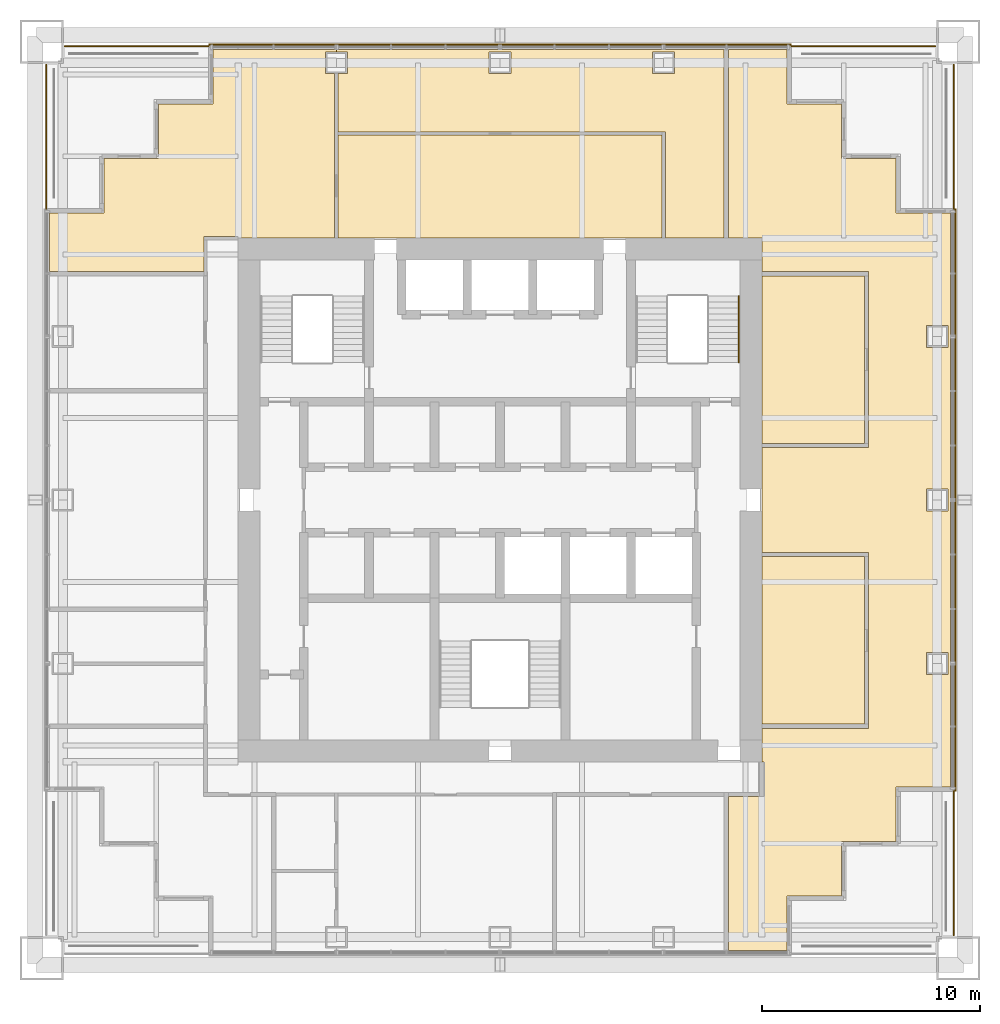
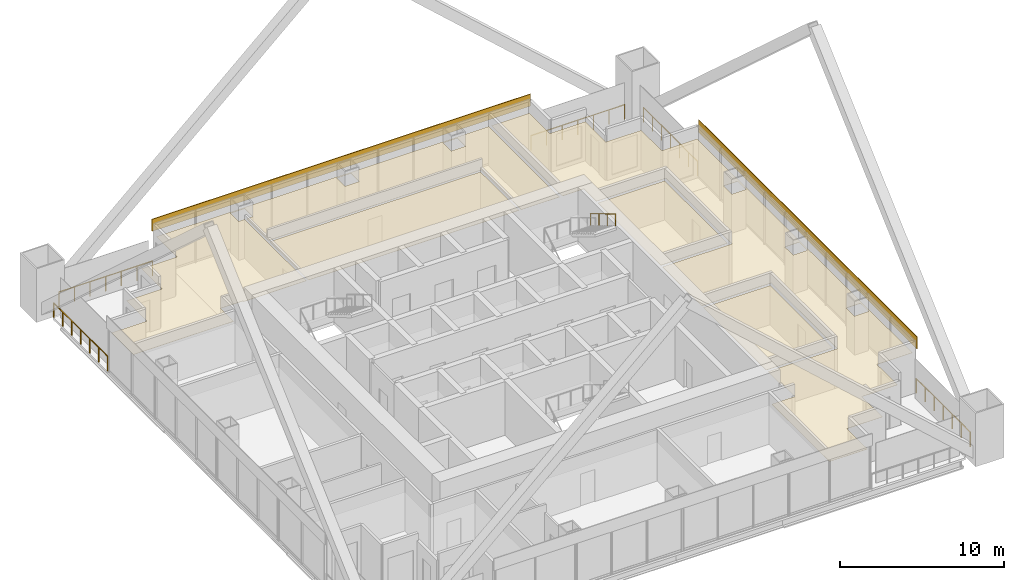
# One storey, part 13 of 13: 8 coverings, 6 railings.
"""IFC4 building model written with IfcOpenShell, lengths in metres."""

from ifc_helpers import new_model, si_unit, direction, frame, origin, origin_2d, place, context, subcontext, project, spatial, polyline, rectangle, circle, outline, extrude, material, layer, layer_set, type_object, element, save


model = new_model("IFC4")

# Units and contexts
model_context = context("Model", 3, precision=1e-05, world=origin(), true_north=direction((0.0, 1.0)))
body_context = subcontext(model_context, "Body", "Model", "MODEL_VIEW")
ifc_project = project(units=[si_unit("LENGTHUNIT", "METRE"), si_unit("AREAUNIT", "SQUARE_METRE"), si_unit("VOLUMEUNIT", "CUBIC_METRE"), si_unit("PLANEANGLEUNIT", "RADIAN"), si_unit("MASSUNIT", "GRAM", prefix="KILO")], contexts=[model_context])

# Site, building, storey
site_placement = place(None, origin())
site = spatial("IfcSite", under=ifc_project, at=site_placement, CompositionType="ELEMENT")
building_placement = place(site_placement, origin())
building = spatial("IfcBuilding", under=site, at=building_placement, Name="Tarangal Relay Tower", CompositionType="ELEMENT")
storey_placement = place(building_placement, frame((0.0, 0.0, 259.89990234375)))
storey = spatial("IfcBuildingStorey", under=building, at=storey_placement, Name="L56", CompositionType="ELEMENT", Elevation=259.89990234375)

# Coverings
ifc_material_1 = material(Name="Black anodised aluminium cladding", Category="aluminium")
ifc_layer_1 = layer(ifc_material_1, 0.050048828125)
ifc_layer_set_1 = layer_set([ifc_layer_1], Name="Black metal spandrel band")
covering_type_1 = type_object("IfcCoveringType", Name="Black metal spandrel band", PredefinedType="CLADDING", material=ifc_layer_set_1)
for number, where, z_axis, x_axis, name in (
    (1, (0.0, 20.875, 3.250244140625), (0.0, 0.0, 1.0), (1.0, 0.0, 0.0), "Spandrel band SB1 N L56"),
    (2, (20.875, 0.0, 3.250244140625), (0.0, 0.0, 1.0), (0.0, -1.0, 0.0), "Spandrel band SB1 E L56"),
):
    element("IfcCovering", number, at=place(storey_placement, frame(where, z_axis=z_axis, x_axis=x_axis)), inside=storey, type_object=covering_type_1, Name=name, PredefinedType="CLADDING", context=body_context, shape_type="SweptSolid", body=[
        extrude(rectangle(XDim=26.699951171875, YDim=0.050048828125, at=origin_2d()), origin(), (0.0, 0.0, 1.0), 0.89990234375),
    ])

# Railing
ifc_material_2 = material(Name="Steel handrail, black finish", Category="steel")
railing_type_1 = type_object("IfcRailingType", Name="Stair handrail 900", PredefinedType="HANDRAIL", material=ifc_material_2)
railing_1_placement = place(storey_placement, frame((10.93994140625, 9.346923828125, 2.166748046875)))
element("IfcRailing", 3, at=railing_1_placement, inside=storey, type_object=railing_type_1, Name="Stair ST-B handrail HR1 L56 flight 2", PredefinedType="HANDRAIL", context=body_context, shape_type="SweptSolid", body=[
    extrude(circle(Radius=0.02392578125, at=origin_2d()), frame((0.0, 0.0, 0.8759765625), z_axis=(0.0, -0.85685617095, 0.515555527858), x_axis=(1.0, 0.0, 0.0)), (0.0, 0.0, 1.0), 3.555908203125),
    extrude(circle(Radius=0.02099609375, at=origin_2d()), origin(), (0.0, 0.0, 1.0), 0.851806640625),
    extrude(circle(Radius=0.02099609375, at=origin_2d()), frame((0.0, -1.015625, 0.611083984375)), (0.0, 0.0, 1.0), 0.851806640625),
    extrude(circle(Radius=0.02099609375, at=origin_2d()), frame((0.0, -2.03125, 1.22216796875)), (0.0, 0.0, 1.0), 0.851806640625),
    extrude(circle(Radius=0.02099609375, at=origin_2d()), frame((0.0, -3.046875, 1.833251953125)), (0.0, 0.0, 1.0), 0.851806640625),
])

# Coverings
ifc_material_3 = material(Name="Mineral fibre ceiling tiles", Category="gypsum")
ifc_layer_2 = layer(ifc_material_3, 0.02001953125)
ifc_layer_set_2 = layer_set([ifc_layer_2], Name="Suspended ceiling")
covering_type_2 = type_object("IfcCoveringType", Name="Suspended ceiling", PredefinedType="CEILING", material=ifc_layer_set_2)
covering_1_placement = place(storey_placement, frame((0.0, 0.0, 2.900146484375)))
element("IfcCovering", 4, at=covering_1_placement, inside=storey, type_object=covering_type_2, Name="Suspended ceiling CL1 L56-02", PredefinedType="CEILING", context=body_context, shape_type="SweptSolid", body=[
    extrude(outline(polyline([(7.425048828125, 12.0), (7.425048828125, 16.72509765625), (-7.425048828125, 16.72509765625), (-7.425048828125, 12.0), (7.425048828125, 12.0)])), origin(), (0.0, 0.0, 1.0), 0.02001953125),
])
covering_2_placement = place(storey_placement, frame((0.0, 0.0, 2.900146484375)))
element("IfcCovering", 5, at=covering_2_placement, inside=storey, type_object=covering_type_2, Name="Suspended ceiling CL1 L56-03", PredefinedType="CEILING", context=body_context, shape_type="SweptSolid", body=[
    extrude(outline(polyline([(-7.5, 20.64990234375), (-7.5, 20.5400390625), (-7.0, 20.5400390625), (-7.0, 19.5400390625), (-7.425048828125, 19.5400390625), (-7.425048828125, 16.875), (7.574951171875, 16.875), (7.574951171875, 12.0), (10.27490234375, 12.0), (10.27490234375, 20.64990234375), (-7.5, 20.64990234375)]), holes=[polyline([(-0.5, 19.5400390625), (0.5, 19.5400390625), (0.5, 20.5400390625), (-0.5, 20.5400390625), (-0.5, 19.5400390625)]), polyline([(7.0, 19.5400390625), (8.0, 19.5400390625), (8.0, 20.5400390625), (7.0, 20.5400390625), (7.0, 19.5400390625)])]), origin(), (0.0, 0.0, 1.0), 0.02001953125),
])
covering_3_placement = place(storey_placement, frame((0.0, 0.0, 2.900146484375)))
element("IfcCovering", 6, at=covering_3_placement, inside=storey, type_object=covering_type_2, Name="Suspended ceiling CL1 L56-04", PredefinedType="CEILING", context=body_context, shape_type="SweptSolid", body=[
    extrude(outline(polyline([(12.0, 2.60009765625), (16.699951171875, 2.60009765625), (16.699951171875, 10.27490234375), (12.0, 10.27490234375), (12.0, 2.60009765625)])), origin(), (0.0, 0.0, 1.0), 0.02001953125),
])
covering_4_placement = place(storey_placement, frame((0.0, 0.0, 2.900146484375)))
element("IfcCovering", 7, at=covering_4_placement, inside=storey, type_object=covering_type_2, Name="Suspended ceiling CL1 L56-05", PredefinedType="CEILING", context=body_context, shape_type="SweptSolid", body=[
    extrude(outline(polyline([(12.0, -10.27490234375), (16.699951171875, -10.27490234375), (16.699951171875, -2.60009765625), (12.0, -2.60009765625), (12.0, -10.27490234375)])), origin(), (0.0, 0.0, 1.0), 0.02001953125),
])
covering_5_placement = place(storey_placement, frame((0.0, 0.0, 2.900146484375)))
element("IfcCovering", 8, at=covering_5_placement, inside=storey, type_object=covering_type_2, Name="Suspended ceiling CL1 L56-14", PredefinedType="CEILING", context=body_context, shape_type="SweptSolid", body=[
    extrude(outline(polyline([(-20.64990234375, 13.14990234375), (-20.64990234375, 10.47509765625), (-13.574951171875, 10.47509765625), (-13.574951171875, 12.074951171875), (-12.0, 12.074951171875), (-12.0, 12.0), (-7.574951171875, 12.0), (-7.574951171875, 19.5400390625), (-8.0, 19.5400390625), (-8.0, 20.5400390625), (-7.5, 20.5400390625), (-7.5, 20.64990234375), (-13.14990234375, 20.64990234375), (-13.14990234375, 18.14990234375), (-15.64990234375, 18.14990234375), (-15.64990234375, 15.64990234375), (-18.14990234375, 15.64990234375), (-18.14990234375, 13.14990234375), (-20.64990234375, 13.14990234375)])), origin(), (0.0, 0.0, 1.0), 0.02001953125),
])
covering_6_placement = place(storey_placement, frame((0.0, 0.0, 2.900146484375)))
element("IfcCovering", 9, at=covering_6_placement, inside=storey, type_object=covering_type_2, Name="Suspended ceiling CL1 L56-15", PredefinedType="CEILING", context=body_context, shape_type="SweptSolid", body=[
    extrude(outline(polyline([(12.0, -2.39990234375), (16.89990234375, -2.39990234375), (16.89990234375, -10.47509765625), (12.0, -10.47509765625), (12.0, -12.0), (12.10009765625, -12.0), (12.10009765625, -13.60009765625), (10.47509765625, -13.60009765625), (10.47509765625, -20.64990234375), (13.14990234375, -20.64990234375), (13.14990234375, -18.14990234375), (15.64990234375, -18.14990234375), (15.64990234375, -15.64990234375), (18.14990234375, -15.64990234375), (18.14990234375, -13.14990234375), (20.64990234375, -13.14990234375), (20.64990234375, 13.14990234375), (18.14990234375, 13.14990234375), (18.14990234375, 15.64990234375), (15.64990234375, 15.64990234375), (15.64990234375, 18.14990234375), (13.14990234375, 18.14990234375), (13.14990234375, 20.64990234375), (10.47509765625, 20.64990234375), (10.47509765625, 12.0), (12.0, 12.0), (12.0, 10.47509765625), (16.89990234375, 10.47509765625), (16.89990234375, 2.39990234375), (12.0, 2.39990234375), (12.0, -2.39990234375)]), holes=[polyline([(20.5400390625, -8.0), (20.5400390625, -7.0), (19.5400390625, -7.0), (19.5400390625, -8.0), (20.5400390625, -8.0)]), polyline([(19.5400390625, -0.5), (20.5400390625, -0.5), (20.5400390625, 0.5), (19.5400390625, 0.5), (19.5400390625, -0.5)]), polyline([(19.5400390625, 7.0), (20.5400390625, 7.0), (20.5400390625, 8.0), (19.5400390625, 8.0), (19.5400390625, 7.0)])]), origin(), (0.0, 0.0, 1.0), 0.02001953125),
])

# Railings
ifc_material_4 = material(Name="Black steel guard with glass infill", Category="steel")
railing_type_2 = type_object("IfcRailingType", Name="Terrace guard 1100", PredefinedType="GUARDRAIL", material=ifc_material_4)
railing_2_placement = place(storey_placement, frame((13.35009765625, 20.800048828125, 0.0)))
element("IfcRailing", 10, at=railing_2_placement, inside=storey, type_object=railing_type_2, Name="Terrace guard GR2 NE L56", PredefinedType="GUARDRAIL", context=body_context, shape_type="SweptSolid", body=[
    extrude(circle(Radius=0.02392578125, at=origin_2d()), frame((0.0, 0.0, 1.076171875), z_axis=(1.0, 0.0, 0.0), x_axis=(0.0, 1.0, 0.0)), (0.0, 0.0, 1.0), 6.599853515625),
    extrude(circle(Radius=0.02099609375, at=origin_2d()), origin(), (0.0, 0.0, 1.0), 1.052001953125),
    extrude(circle(Radius=0.02099609375, at=origin_2d()), frame((1.10009765625, 0.0, 0.0)), (0.0, 0.0, 1.0), 1.052001953125),
    extrude(circle(Radius=0.02099609375, at=origin_2d()), frame((2.199951171875, 0.0, 0.0)), (0.0, 0.0, 1.0), 1.052001953125),
    extrude(circle(Radius=0.02099609375, at=origin_2d()), frame((3.2998046875, 0.0, 0.0)), (0.0, 0.0, 1.0), 1.052001953125),
    extrude(circle(Radius=0.02099609375, at=origin_2d()), frame((4.39990234375, 0.0, 0.0)), (0.0, 0.0, 1.0), 1.052001953125),
    extrude(circle(Radius=0.02099609375, at=origin_2d()), frame((5.5, 0.0, 0.0)), (0.0, 0.0, 1.0), 1.052001953125),
    extrude(circle(Radius=0.02099609375, at=origin_2d()), frame((6.599853515625, 0.0, 0.0)), (0.0, 0.0, 1.0), 1.052001953125),
])
for number, where, name in (
    (11, (20.800048828125, 19.949951171875, 0.0), "Terrace guard GR2 NE L56"),
    (12, (20.800048828125, -13.35009765625, 0.0), "Terrace guard GR2 SE L56"),
):
    element("IfcRailing", number, at=place(storey_placement, frame(where)), inside=storey, type_object=railing_type_2, Name=name, PredefinedType="GUARDRAIL", context=body_context, shape_type="SweptSolid", body=[
        extrude(circle(Radius=0.02392578125, at=origin_2d()), frame((0.0, 0.0, 1.076171875), z_axis=(0.0, -1.0, 0.0), x_axis=(1.0, 0.0, 0.0)), (0.0, 0.0, 1.0), 6.599853515625),
        extrude(circle(Radius=0.02099609375, at=origin_2d()), origin(), (0.0, 0.0, 1.0), 1.052001953125),
        extrude(circle(Radius=0.02099609375, at=origin_2d()), frame((0.0, -1.10009765625, 0.0)), (0.0, 0.0, 1.0), 1.052001953125),
        extrude(circle(Radius=0.02099609375, at=origin_2d()), frame((0.0, -2.199951171875, 0.0)), (0.0, 0.0, 1.0), 1.052001953125),
        extrude(circle(Radius=0.02099609375, at=origin_2d()), frame((0.0, -3.2998046875, 0.0)), (0.0, 0.0, 1.0), 1.052001953125),
        extrude(circle(Radius=0.02099609375, at=origin_2d()), frame((0.0, -4.39990234375, 0.0)), (0.0, 0.0, 1.0), 1.052001953125),
        extrude(circle(Radius=0.02099609375, at=origin_2d()), frame((0.0, -5.5, 0.0)), (0.0, 0.0, 1.0), 1.052001953125),
        extrude(circle(Radius=0.02099609375, at=origin_2d()), frame((0.0, -6.599853515625, 0.0)), (0.0, 0.0, 1.0), 1.052001953125),
    ])
railing_3_placement = place(storey_placement, frame((-20.800048828125, 13.35009765625, 0.0)))
element("IfcRailing", 13, at=railing_3_placement, inside=storey, type_object=railing_type_2, Name="Terrace guard GR2 NW L56", PredefinedType="GUARDRAIL", context=body_context, shape_type="SweptSolid", body=[
    extrude(circle(Radius=0.02392578125, at=origin_2d()), frame((0.0, 0.0, 1.076171875), z_axis=(0.0, 1.0, 0.0), x_axis=(-1.0, 0.0, 0.0)), (0.0, 0.0, 1.0), 6.599853515625),
    extrude(circle(Radius=0.02099609375, at=origin_2d()), origin(), (0.0, 0.0, 1.0), 1.052001953125),
    extrude(circle(Radius=0.02099609375, at=origin_2d()), frame((0.0, 1.10009765625, 0.0)), (0.0, 0.0, 1.0), 1.052001953125),
    extrude(circle(Radius=0.02099609375, at=origin_2d()), frame((0.0, 2.199951171875, 0.0)), (0.0, 0.0, 1.0), 1.052001953125),
    extrude(circle(Radius=0.02099609375, at=origin_2d()), frame((0.0, 3.2998046875, 0.0)), (0.0, 0.0, 1.0), 1.052001953125),
    extrude(circle(Radius=0.02099609375, at=origin_2d()), frame((0.0, 4.39990234375, 0.0)), (0.0, 0.0, 1.0), 1.052001953125),
    extrude(circle(Radius=0.02099609375, at=origin_2d()), frame((0.0, 5.5, 0.0)), (0.0, 0.0, 1.0), 1.052001953125),
    extrude(circle(Radius=0.02099609375, at=origin_2d()), frame((0.0, 6.599853515625, 0.0)), (0.0, 0.0, 1.0), 1.052001953125),
])
railing_4_placement = place(storey_placement, frame((-19.949951171875, 20.800048828125, 0.0)))
element("IfcRailing", 14, at=railing_4_placement, inside=storey, type_object=railing_type_2, Name="Terrace guard GR2 NW L56", PredefinedType="GUARDRAIL", context=body_context, shape_type="SweptSolid", body=[
    extrude(circle(Radius=0.02392578125, at=origin_2d()), frame((0.0, 0.0, 1.076171875), z_axis=(1.0, 0.0, 0.0), x_axis=(0.0, 1.0, 0.0)), (0.0, 0.0, 1.0), 6.599853515625),
    extrude(circle(Radius=0.02099609375, at=origin_2d()), origin(), (0.0, 0.0, 1.0), 1.052001953125),
    extrude(circle(Radius=0.02099609375, at=origin_2d()), frame((1.10009765625, 0.0, 0.0)), (0.0, 0.0, 1.0), 1.052001953125),
    extrude(circle(Radius=0.02099609375, at=origin_2d()), frame((2.199951171875, 0.0, 0.0)), (0.0, 0.0, 1.0), 1.052001953125),
    extrude(circle(Radius=0.02099609375, at=origin_2d()), frame((3.2998046875, 0.0, 0.0)), (0.0, 0.0, 1.0), 1.052001953125),
    extrude(circle(Radius=0.02099609375, at=origin_2d()), frame((4.39990234375, 0.0, 0.0)), (0.0, 0.0, 1.0), 1.052001953125),
    extrude(circle(Radius=0.02099609375, at=origin_2d()), frame((5.5, 0.0, 0.0)), (0.0, 0.0, 1.0), 1.052001953125),
    extrude(circle(Radius=0.02099609375, at=origin_2d()), frame((6.599853515625, 0.0, 0.0)), (0.0, 0.0, 1.0), 1.052001953125),
])

save(model, "model.ifc")
